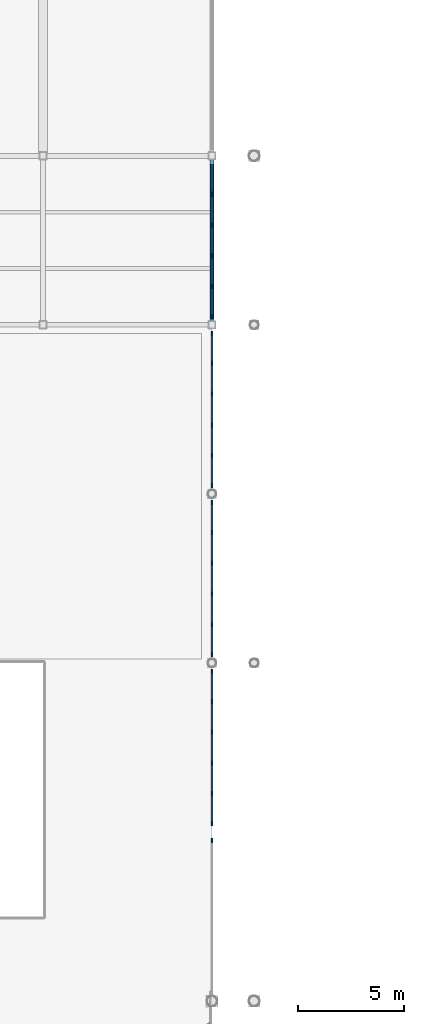
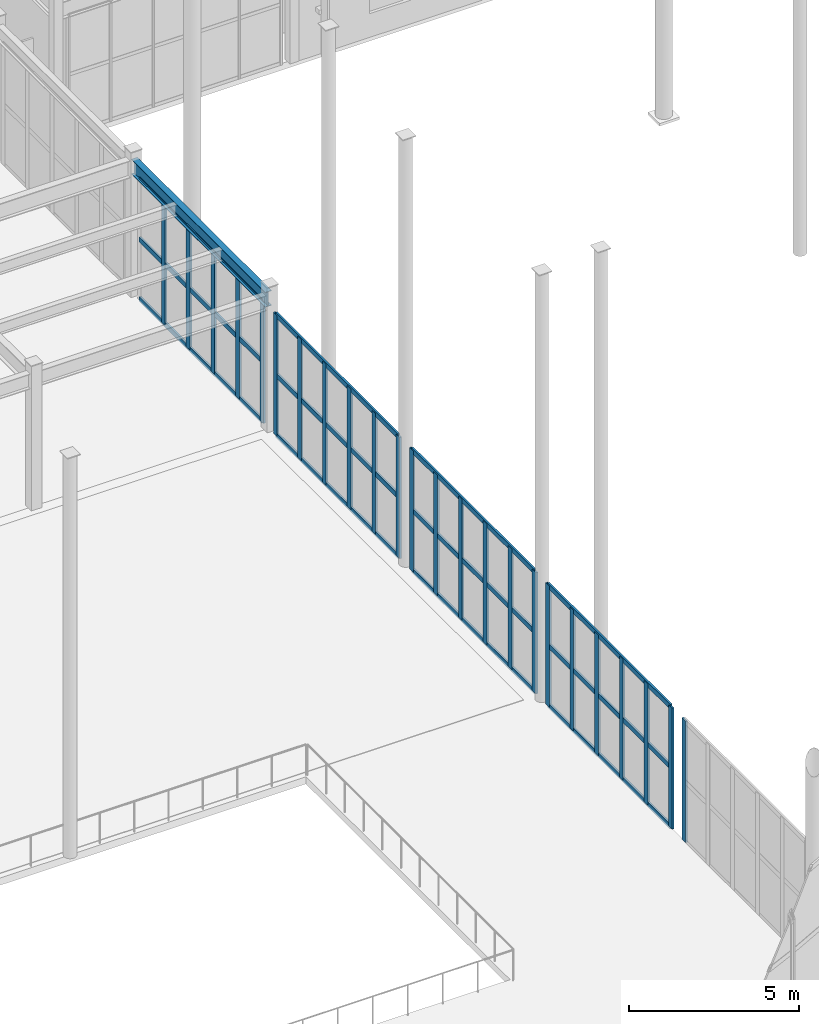
# One storey, part 30 of 77: 36 members, 1 beam, 5 elements without a shape of their own.
"""IFC4 building model written with IfcOpenShell, lengths in metres."""

from ifc_helpers import new_model, si_unit, direction, frame, origin, origin_2d, place, context, subcontext, project, spatial, rectangle, i_section, extrude, material, material_profile, profile_set, type_object, element, aggregate, save


model = new_model("IFC4")

# Units and contexts
model_context = context("Model", 3, precision=1e-05, world=origin(), true_north=direction((0.0, 1.0)))
body_context = subcontext(model_context, "Body", "Model", "MODEL_VIEW")
ifc_project = project(units=[si_unit("LENGTHUNIT", "METRE"), si_unit("AREAUNIT", "SQUARE_METRE"), si_unit("VOLUMEUNIT", "CUBIC_METRE"), si_unit("PLANEANGLEUNIT", "RADIAN"), si_unit("MASSUNIT", "GRAM", prefix="KILO")], contexts=[model_context])

# Site, building, storey
site_placement = place(None, origin())
site = spatial("IfcSite", under=ifc_project, at=site_placement, CompositionType="ELEMENT")
building_placement = place(site_placement, origin())
building = spatial("IfcBuilding", under=site, at=building_placement, Name="Drelvath Fold Interchange", CompositionType="ELEMENT")
storey_placement = place(building_placement, frame((0.0, 0.0, 6.0)))
storey = spatial("IfcBuildingStorey", under=building, at=storey_placement, Name="L01", CompositionType="ELEMENT", Elevation=6.0)

# Beam
ifc_material_1 = material(Name="Steel ASTM A992 Grade 50", Category="steel")
ifc_material_profile_1 = material_profile(ifc_material_1, i_section(OverallWidth=0.2099609375, OverallDepth=0.537109375, WebThickness=0.010986328125, FlangeThickness=0.017333984375, at=origin_2d()), Name="W21X68")
ifc_profile_set_1 = profile_set([ifc_material_profile_1], Name="Steel ASTM A992 Grade 50")
beam_type = type_object("IfcBeamType", Name="BM-W21X68", PredefinedType="SPANDREL", material=ifc_profile_set_1)
beam_placement = place(storey_placement, frame((100.0, 59.06005859375, 4.60107421875), z_axis=(0.0, 1.0, 0.0), x_axis=(-1.0, 0.0, 0.0)))
element("IfcBeam", 1, at=beam_placement, inside=storey, type_object=beam_type, Name="L01 Primary Y girder BM-W21X68", PredefinedType="SPANDREL", context=body_context, shape_type="SweptSolid", body=[
    extrude(i_section(OverallWidth=0.2099609375, OverallDepth=0.537109375, WebThickness=0.010986328125, FlangeThickness=0.017333984375, at=origin_2d()), origin(), (0.0, 0.0, 1.0), 7.8798828125),
])

# Curtain wall, member
ifc_material_2 = material(Name="Anodized Aluminium 6063-T6", Category="aluminium")
curtain_wall_type = type_object("IfcCurtainWallType", Name="CW-CON-520", PredefinedType="USERDEFINED", material=ifc_material_2)
curtain_wall_1_placement = place(storey_placement, origin())
curtain_wall_1 = element("IfcCurtainWall", 2, at=curtain_wall_1_placement, inside=storey, type_object=curtain_wall_type, Name="Curtain wall CW-V1E-L01-Y27", ObjectType="UNITISED CURTAIN WALL", PredefinedType="USERDEFINED")
ifc_material_profile_2 = material_profile(ifc_material_2, rectangle(XDim=0.06494140625, YDim=0.219970703125, at=origin_2d()), Name="AL-M 65x220")
ifc_profile_set_2 = profile_set([ifc_material_profile_2], Name="Anodized Aluminium 6063-T6")
member_type_1 = type_object("IfcMemberType", Name="ML-220", PredefinedType="MULLION", material=ifc_profile_set_2)
member_1_placement = place(storey_placement, frame((100.0, 34.60009765625, 0.0), z_axis=(0.0, 0.0, 1.0), x_axis=(1.0, 0.0, 0.0)))
member_1 = element("IfcMember", 3, at=member_1_placement, type_object=member_type_1, Name="CW-V1E-L01-Y27 mullion 5", PredefinedType="MULLION", context=body_context, shape_type="SweptSolid", body=[
    extrude(rectangle(XDim=0.06494140625, YDim=0.219970703125, at=origin_2d()), origin(), (0.0, 0.0, 1.0), 4.35009765625),
])
aggregate(curtain_wall_1, [member_1])

# Curtain wall, members
curtain_wall_2_placement = place(storey_placement, origin())
curtain_wall_2 = element("IfcCurtainWall", 4, at=curtain_wall_2_placement, inside=storey, type_object=curtain_wall_type, Name="Curtain wall CW-V1E-L01-Y35", ObjectType="UNITISED CURTAIN WALL", PredefinedType="USERDEFINED")
member_2_placement = place(storey_placement, frame((100.0, 35.39990234375, 0.0), z_axis=(0.0, 0.0, 1.0), x_axis=(1.0, 0.0, 0.0)))
member_2 = element("IfcMember", 5, at=member_2_placement, type_object=member_type_1, Name="CW-V1E-L01-Y35 mullion 0", PredefinedType="MULLION", context=body_context, shape_type="SweptSolid", body=[
    extrude(rectangle(XDim=0.06494140625, YDim=0.219970703125, at=origin_2d()), origin(), (0.0, 0.0, 1.0), 4.35009765625),
])
member_3_placement = place(storey_placement, frame((100.0, 36.81591796875, 0.0), z_axis=(0.0, 0.0, 1.0), x_axis=(1.0, 0.0, 0.0)))
member_3 = element("IfcMember", 6, at=member_3_placement, type_object=member_type_1, Name="CW-V1E-L01-Y35 mullion 1", PredefinedType="MULLION", context=body_context, shape_type="SweptSolid", body=[
    extrude(rectangle(XDim=0.06494140625, YDim=0.219970703125, at=origin_2d()), origin(), (0.0, 0.0, 1.0), 4.35009765625),
])
member_4_placement = place(storey_placement, frame((100.0, 38.27197265625, 0.0), z_axis=(0.0, 0.0, 1.0), x_axis=(1.0, 0.0, 0.0)))
member_4 = element("IfcMember", 7, at=member_4_placement, type_object=member_type_1, Name="CW-V1E-L01-Y35 mullion 2", PredefinedType="MULLION", context=body_context, shape_type="SweptSolid", body=[
    extrude(rectangle(XDim=0.06494140625, YDim=0.219970703125, at=origin_2d()), origin(), (0.0, 0.0, 1.0), 4.35009765625),
])
member_5_placement = place(storey_placement, frame((100.0, 39.72802734375, 0.0), z_axis=(0.0, 0.0, 1.0), x_axis=(1.0, 0.0, 0.0)))
member_5 = element("IfcMember", 8, at=member_5_placement, type_object=member_type_1, Name="CW-V1E-L01-Y35 mullion 3", PredefinedType="MULLION", context=body_context, shape_type="SweptSolid", body=[
    extrude(rectangle(XDim=0.06494140625, YDim=0.219970703125, at=origin_2d()), origin(), (0.0, 0.0, 1.0), 4.35009765625),
])
member_6_placement = place(storey_placement, frame((100.0, 41.18408203125, 0.0), z_axis=(0.0, 0.0, 1.0), x_axis=(1.0, 0.0, 0.0)))
member_6 = element("IfcMember", 9, at=member_6_placement, type_object=member_type_1, Name="CW-V1E-L01-Y35 mullion 4", PredefinedType="MULLION", context=body_context, shape_type="SweptSolid", body=[
    extrude(rectangle(XDim=0.06494140625, YDim=0.219970703125, at=origin_2d()), origin(), (0.0, 0.0, 1.0), 4.35009765625),
])
member_7_placement = place(storey_placement, frame((100.0, 42.60009765625, 0.0), z_axis=(0.0, 0.0, 1.0), x_axis=(1.0, 0.0, 0.0)))
member_7 = element("IfcMember", 10, at=member_7_placement, type_object=member_type_1, Name="CW-V1E-L01-Y35 mullion 5", PredefinedType="MULLION", context=body_context, shape_type="SweptSolid", body=[
    extrude(rectangle(XDim=0.06494140625, YDim=0.219970703125, at=origin_2d()), origin(), (0.0, 0.0, 1.0), 4.35009765625),
])

curtain_wall_3_placement = place(storey_placement, origin())
curtain_wall_3 = element("IfcCurtainWall", 11, at=curtain_wall_3_placement, inside=storey, type_object=curtain_wall_type, Name="Curtain wall CW-V1E-L01-Y43", ObjectType="UNITISED CURTAIN WALL", PredefinedType="USERDEFINED")
member_8_placement = place(storey_placement, frame((100.0, 43.39990234375, 0.0), z_axis=(0.0, 0.0, 1.0), x_axis=(1.0, 0.0, 0.0)))
member_8 = element("IfcMember", 12, at=member_8_placement, type_object=member_type_1, Name="CW-V1E-L01-Y43 mullion 0", PredefinedType="MULLION", context=body_context, shape_type="SweptSolid", body=[
    extrude(rectangle(XDim=0.06494140625, YDim=0.219970703125, at=origin_2d()), origin(), (0.0, 0.0, 1.0), 4.35009765625),
])
member_9_placement = place(storey_placement, frame((100.0, 44.81591796875, 0.0), z_axis=(0.0, 0.0, 1.0), x_axis=(1.0, 0.0, 0.0)))
member_9 = element("IfcMember", 13, at=member_9_placement, type_object=member_type_1, Name="CW-V1E-L01-Y43 mullion 1", PredefinedType="MULLION", context=body_context, shape_type="SweptSolid", body=[
    extrude(rectangle(XDim=0.06494140625, YDim=0.219970703125, at=origin_2d()), origin(), (0.0, 0.0, 1.0), 4.35009765625),
])
member_10_placement = place(storey_placement, frame((100.0, 46.27197265625, 0.0), z_axis=(0.0, 0.0, 1.0), x_axis=(1.0, 0.0, 0.0)))
member_10 = element("IfcMember", 14, at=member_10_placement, type_object=member_type_1, Name="CW-V1E-L01-Y43 mullion 2", PredefinedType="MULLION", context=body_context, shape_type="SweptSolid", body=[
    extrude(rectangle(XDim=0.06494140625, YDim=0.219970703125, at=origin_2d()), origin(), (0.0, 0.0, 1.0), 4.35009765625),
])
member_11_placement = place(storey_placement, frame((100.0, 47.72802734375, 0.0), z_axis=(0.0, 0.0, 1.0), x_axis=(1.0, 0.0, 0.0)))
member_11 = element("IfcMember", 15, at=member_11_placement, type_object=member_type_1, Name="CW-V1E-L01-Y43 mullion 3", PredefinedType="MULLION", context=body_context, shape_type="SweptSolid", body=[
    extrude(rectangle(XDim=0.06494140625, YDim=0.219970703125, at=origin_2d()), origin(), (0.0, 0.0, 1.0), 4.35009765625),
])
member_12_placement = place(storey_placement, frame((100.0, 49.18408203125, 0.0), z_axis=(0.0, 0.0, 1.0), x_axis=(1.0, 0.0, 0.0)))
member_12 = element("IfcMember", 16, at=member_12_placement, type_object=member_type_1, Name="CW-V1E-L01-Y43 mullion 4", PredefinedType="MULLION", context=body_context, shape_type="SweptSolid", body=[
    extrude(rectangle(XDim=0.06494140625, YDim=0.219970703125, at=origin_2d()), origin(), (0.0, 0.0, 1.0), 4.35009765625),
])
member_13_placement = place(storey_placement, frame((100.0, 50.60009765625, 0.0), z_axis=(0.0, 0.0, 1.0), x_axis=(1.0, 0.0, 0.0)))
member_13 = element("IfcMember", 17, at=member_13_placement, type_object=member_type_1, Name="CW-V1E-L01-Y43 mullion 5", PredefinedType="MULLION", context=body_context, shape_type="SweptSolid", body=[
    extrude(rectangle(XDim=0.06494140625, YDim=0.219970703125, at=origin_2d()), origin(), (0.0, 0.0, 1.0), 4.35009765625),
])

curtain_wall_4_placement = place(storey_placement, origin())
curtain_wall_4 = element("IfcCurtainWall", 18, at=curtain_wall_4_placement, inside=storey, type_object=curtain_wall_type, Name="Curtain wall CW-V1E-L01-Y51", ObjectType="UNITISED CURTAIN WALL", PredefinedType="USERDEFINED")
member_14_placement = place(storey_placement, frame((100.0, 51.39990234375, 0.0), z_axis=(0.0, 0.0, 1.0), x_axis=(1.0, 0.0, 0.0)))
member_14 = element("IfcMember", 19, at=member_14_placement, type_object=member_type_1, Name="CW-V1E-L01-Y51 mullion 0", PredefinedType="MULLION", context=body_context, shape_type="SweptSolid", body=[
    extrude(rectangle(XDim=0.06494140625, YDim=0.219970703125, at=origin_2d()), origin(), (0.0, 0.0, 1.0), 4.35009765625),
])
member_15_placement = place(storey_placement, frame((100.0, 52.81591796875, 0.0), z_axis=(0.0, 0.0, 1.0), x_axis=(1.0, 0.0, 0.0)))
member_15 = element("IfcMember", 20, at=member_15_placement, type_object=member_type_1, Name="CW-V1E-L01-Y51 mullion 1", PredefinedType="MULLION", context=body_context, shape_type="SweptSolid", body=[
    extrude(rectangle(XDim=0.06494140625, YDim=0.219970703125, at=origin_2d()), origin(), (0.0, 0.0, 1.0), 4.35009765625),
])
member_16_placement = place(storey_placement, frame((100.0, 54.27197265625, 0.0), z_axis=(0.0, 0.0, 1.0), x_axis=(1.0, 0.0, 0.0)))
member_16 = element("IfcMember", 21, at=member_16_placement, type_object=member_type_1, Name="CW-V1E-L01-Y51 mullion 2", PredefinedType="MULLION", context=body_context, shape_type="SweptSolid", body=[
    extrude(rectangle(XDim=0.06494140625, YDim=0.219970703125, at=origin_2d()), origin(), (0.0, 0.0, 1.0), 4.35009765625),
])
member_17_placement = place(storey_placement, frame((100.0, 55.72802734375, 0.0), z_axis=(0.0, 0.0, 1.0), x_axis=(1.0, 0.0, 0.0)))
member_17 = element("IfcMember", 22, at=member_17_placement, type_object=member_type_1, Name="CW-V1E-L01-Y51 mullion 3", PredefinedType="MULLION", context=body_context, shape_type="SweptSolid", body=[
    extrude(rectangle(XDim=0.06494140625, YDim=0.219970703125, at=origin_2d()), origin(), (0.0, 0.0, 1.0), 4.35009765625),
])
member_18_placement = place(storey_placement, frame((100.0, 57.18408203125, 0.0), z_axis=(0.0, 0.0, 1.0), x_axis=(1.0, 0.0, 0.0)))
member_18 = element("IfcMember", 23, at=member_18_placement, type_object=member_type_1, Name="CW-V1E-L01-Y51 mullion 4", PredefinedType="MULLION", context=body_context, shape_type="SweptSolid", body=[
    extrude(rectangle(XDim=0.06494140625, YDim=0.219970703125, at=origin_2d()), origin(), (0.0, 0.0, 1.0), 4.35009765625),
])
member_19_placement = place(storey_placement, frame((100.0, 58.60009765625, 0.0), z_axis=(0.0, 0.0, 1.0), x_axis=(1.0, 0.0, 0.0)))
member_19 = element("IfcMember", 24, at=member_19_placement, type_object=member_type_1, Name="CW-V1E-L01-Y51 mullion 5", PredefinedType="MULLION", context=body_context, shape_type="SweptSolid", body=[
    extrude(rectangle(XDim=0.06494140625, YDim=0.219970703125, at=origin_2d()), origin(), (0.0, 0.0, 1.0), 4.35009765625),
])

curtain_wall_5_placement = place(storey_placement, origin())
curtain_wall_5 = element("IfcCurtainWall", 25, at=curtain_wall_5_placement, inside=storey, type_object=curtain_wall_type, Name="Curtain wall CW-V1E-L01-Y59", ObjectType="UNITISED CURTAIN WALL", PredefinedType="USERDEFINED")
member_20_placement = place(storey_placement, frame((100.0, 59.39990234375, 0.0), z_axis=(0.0, 0.0, 1.0), x_axis=(1.0, 0.0, 0.0)))
member_20 = element("IfcMember", 26, at=member_20_placement, type_object=member_type_1, Name="CW-V1E-L01-Y59 mullion 0", PredefinedType="MULLION", context=body_context, shape_type="SweptSolid", body=[
    extrude(rectangle(XDim=0.06494140625, YDim=0.219970703125, at=origin_2d()), origin(), (0.0, 0.0, 1.0), 4.35009765625),
])
member_21_placement = place(storey_placement, frame((100.0, 60.81591796875, 0.0), z_axis=(0.0, 0.0, 1.0), x_axis=(1.0, 0.0, 0.0)))
member_21 = element("IfcMember", 27, at=member_21_placement, type_object=member_type_1, Name="CW-V1E-L01-Y59 mullion 1", PredefinedType="MULLION", context=body_context, shape_type="SweptSolid", body=[
    extrude(rectangle(XDim=0.06494140625, YDim=0.219970703125, at=origin_2d()), origin(), (0.0, 0.0, 1.0), 4.35009765625),
])
member_22_placement = place(storey_placement, frame((100.0, 62.27197265625, 0.0), z_axis=(0.0, 0.0, 1.0), x_axis=(1.0, 0.0, 0.0)))
member_22 = element("IfcMember", 28, at=member_22_placement, type_object=member_type_1, Name="CW-V1E-L01-Y59 mullion 2", PredefinedType="MULLION", context=body_context, shape_type="SweptSolid", body=[
    extrude(rectangle(XDim=0.06494140625, YDim=0.219970703125, at=origin_2d()), origin(), (0.0, 0.0, 1.0), 4.35009765625),
])
member_23_placement = place(storey_placement, frame((100.0, 63.72802734375, 0.0), z_axis=(0.0, 0.0, 1.0), x_axis=(1.0, 0.0, 0.0)))
member_23 = element("IfcMember", 29, at=member_23_placement, type_object=member_type_1, Name="CW-V1E-L01-Y59 mullion 3", PredefinedType="MULLION", context=body_context, shape_type="SweptSolid", body=[
    extrude(rectangle(XDim=0.06494140625, YDim=0.219970703125, at=origin_2d()), origin(), (0.0, 0.0, 1.0), 4.35009765625),
])
member_24_placement = place(storey_placement, frame((100.0, 65.18408203125, 0.0), z_axis=(0.0, 0.0, 1.0), x_axis=(1.0, 0.0, 0.0)))
member_24 = element("IfcMember", 30, at=member_24_placement, type_object=member_type_1, Name="CW-V1E-L01-Y59 mullion 4", PredefinedType="MULLION", context=body_context, shape_type="SweptSolid", body=[
    extrude(rectangle(XDim=0.06494140625, YDim=0.219970703125, at=origin_2d()), origin(), (0.0, 0.0, 1.0), 4.35009765625),
])

# Member
ifc_material_profile_3 = material_profile(ifc_material_2, rectangle(XDim=0.06494140625, YDim=0.179931640625, at=origin_2d()), Name="AL-T 65x180")
ifc_profile_set_3 = profile_set([ifc_material_profile_3], Name="Anodized Aluminium 6063-T6")
member_type_2 = type_object("IfcMemberType", Name="TR-180", PredefinedType="USERDEFINED", material=ifc_profile_set_3)
member_25_placement = place(storey_placement, frame((100.0, 35.39990234375, 0.030029296875), z_axis=(0.0, 1.0, 0.0), x_axis=(-1.0, 0.0, 0.0)))
member_25 = element("IfcMember", 31, at=member_25_placement, type_object=member_type_2, Name="CW-V1E-L01-Y35 transom 0", ObjectType="TRANSOM", PredefinedType="USERDEFINED", context=body_context, shape_type="SweptSolid", body=[
    extrude(rectangle(XDim=0.06494140625, YDim=0.179931640625, at=origin_2d()), origin(), (0.0, 0.0, 1.0), 7.2001953125),
])

member_26_placement = place(storey_placement, frame((100.0, 35.39990234375, 2.175048828125), z_axis=(0.0, 1.0, 0.0), x_axis=(-1.0, 0.0, 0.0)))
member_26 = element("IfcMember", 32, at=member_26_placement, type_object=member_type_2, Name="CW-V1E-L01-Y35 transom 1", ObjectType="TRANSOM", PredefinedType="USERDEFINED", context=body_context, shape_type="SweptSolid", body=[
    extrude(rectangle(XDim=0.06494140625, YDim=0.179931640625, at=origin_2d()), origin(), (0.0, 0.0, 1.0), 7.2001953125),
])

member_27_placement = place(storey_placement, frame((100.0, 35.39990234375, 4.320068359375), z_axis=(0.0, 1.0, 0.0), x_axis=(-1.0, 0.0, 0.0)))
member_27 = element("IfcMember", 33, at=member_27_placement, type_object=member_type_2, Name="CW-V1E-L01-Y35 transom 2", ObjectType="TRANSOM", PredefinedType="USERDEFINED", context=body_context, shape_type="SweptSolid", body=[
    extrude(rectangle(XDim=0.06494140625, YDim=0.179931640625, at=origin_2d()), origin(), (0.0, 0.0, 1.0), 7.2001953125),
])

aggregate(curtain_wall_2, [member_2, member_3, member_4, member_5, member_6, member_7, member_25, member_26, member_27])

member_28_placement = place(storey_placement, frame((100.0, 43.39990234375, 0.030029296875), z_axis=(0.0, 1.0, 0.0), x_axis=(-1.0, 0.0, 0.0)))
member_28 = element("IfcMember", 34, at=member_28_placement, type_object=member_type_2, Name="CW-V1E-L01-Y43 transom 0", ObjectType="TRANSOM", PredefinedType="USERDEFINED", context=body_context, shape_type="SweptSolid", body=[
    extrude(rectangle(XDim=0.06494140625, YDim=0.179931640625, at=origin_2d()), origin(), (0.0, 0.0, 1.0), 7.2001953125),
])

member_29_placement = place(storey_placement, frame((100.0, 43.39990234375, 2.175048828125), z_axis=(0.0, 1.0, 0.0), x_axis=(-1.0, 0.0, 0.0)))
member_29 = element("IfcMember", 35, at=member_29_placement, type_object=member_type_2, Name="CW-V1E-L01-Y43 transom 1", ObjectType="TRANSOM", PredefinedType="USERDEFINED", context=body_context, shape_type="SweptSolid", body=[
    extrude(rectangle(XDim=0.06494140625, YDim=0.179931640625, at=origin_2d()), origin(), (0.0, 0.0, 1.0), 7.2001953125),
])

member_30_placement = place(storey_placement, frame((100.0, 43.39990234375, 4.320068359375), z_axis=(0.0, 1.0, 0.0), x_axis=(-1.0, 0.0, 0.0)))
member_30 = element("IfcMember", 36, at=member_30_placement, type_object=member_type_2, Name="CW-V1E-L01-Y43 transom 2", ObjectType="TRANSOM", PredefinedType="USERDEFINED", context=body_context, shape_type="SweptSolid", body=[
    extrude(rectangle(XDim=0.06494140625, YDim=0.179931640625, at=origin_2d()), origin(), (0.0, 0.0, 1.0), 7.2001953125),
])

aggregate(curtain_wall_3, [member_8, member_9, member_10, member_11, member_12, member_13, member_28, member_29, member_30])

member_31_placement = place(storey_placement, frame((100.0, 51.39990234375, 0.030029296875), z_axis=(0.0, 1.0, 0.0), x_axis=(-1.0, 0.0, 0.0)))
member_31 = element("IfcMember", 37, at=member_31_placement, type_object=member_type_2, Name="CW-V1E-L01-Y51 transom 0", ObjectType="TRANSOM", PredefinedType="USERDEFINED", context=body_context, shape_type="SweptSolid", body=[
    extrude(rectangle(XDim=0.06494140625, YDim=0.179931640625, at=origin_2d()), origin(), (0.0, 0.0, 1.0), 7.2001953125),
])

member_32_placement = place(storey_placement, frame((100.0, 51.39990234375, 2.175048828125), z_axis=(0.0, 1.0, 0.0), x_axis=(-1.0, 0.0, 0.0)))
member_32 = element("IfcMember", 38, at=member_32_placement, type_object=member_type_2, Name="CW-V1E-L01-Y51 transom 1", ObjectType="TRANSOM", PredefinedType="USERDEFINED", context=body_context, shape_type="SweptSolid", body=[
    extrude(rectangle(XDim=0.06494140625, YDim=0.179931640625, at=origin_2d()), origin(), (0.0, 0.0, 1.0), 7.2001953125),
])

member_33_placement = place(storey_placement, frame((100.0, 51.39990234375, 4.320068359375), z_axis=(0.0, 1.0, 0.0), x_axis=(-1.0, 0.0, 0.0)))
member_33 = element("IfcMember", 39, at=member_33_placement, type_object=member_type_2, Name="CW-V1E-L01-Y51 transom 2", ObjectType="TRANSOM", PredefinedType="USERDEFINED", context=body_context, shape_type="SweptSolid", body=[
    extrude(rectangle(XDim=0.06494140625, YDim=0.179931640625, at=origin_2d()), origin(), (0.0, 0.0, 1.0), 7.2001953125),
])

aggregate(curtain_wall_4, [member_14, member_15, member_16, member_17, member_18, member_19, member_31, member_32, member_33])

member_34_placement = place(storey_placement, frame((100.0, 59.39990234375, 0.030029296875), z_axis=(0.0, 1.0, 0.0), x_axis=(-1.0, 0.0, 0.0)))
member_34 = element("IfcMember", 40, at=member_34_placement, type_object=member_type_2, Name="CW-V1E-L01-Y59 transom 0", ObjectType="TRANSOM", PredefinedType="USERDEFINED", context=body_context, shape_type="SweptSolid", body=[
    extrude(rectangle(XDim=0.06494140625, YDim=0.179931640625, at=origin_2d()), origin(), (0.0, 0.0, 1.0), 7.2001953125),
])

member_35_placement = place(storey_placement, frame((100.0, 59.39990234375, 2.175048828125), z_axis=(0.0, 1.0, 0.0), x_axis=(-1.0, 0.0, 0.0)))
member_35 = element("IfcMember", 41, at=member_35_placement, type_object=member_type_2, Name="CW-V1E-L01-Y59 transom 1", ObjectType="TRANSOM", PredefinedType="USERDEFINED", context=body_context, shape_type="SweptSolid", body=[
    extrude(rectangle(XDim=0.06494140625, YDim=0.179931640625, at=origin_2d()), origin(), (0.0, 0.0, 1.0), 7.2001953125),
])

member_36_placement = place(storey_placement, frame((100.0, 59.39990234375, 4.320068359375), z_axis=(0.0, 1.0, 0.0), x_axis=(-1.0, 0.0, 0.0)))
member_36 = element("IfcMember", 42, at=member_36_placement, type_object=member_type_2, Name="CW-V1E-L01-Y59 transom 2", ObjectType="TRANSOM", PredefinedType="USERDEFINED", context=body_context, shape_type="SweptSolid", body=[
    extrude(rectangle(XDim=0.06494140625, YDim=0.179931640625, at=origin_2d()), origin(), (0.0, 0.0, 1.0), 7.2001953125),
])

aggregate(curtain_wall_5, [member_20, member_21, member_22, member_23, member_24, member_34, member_35, member_36])

save(model, "model.ifc")
